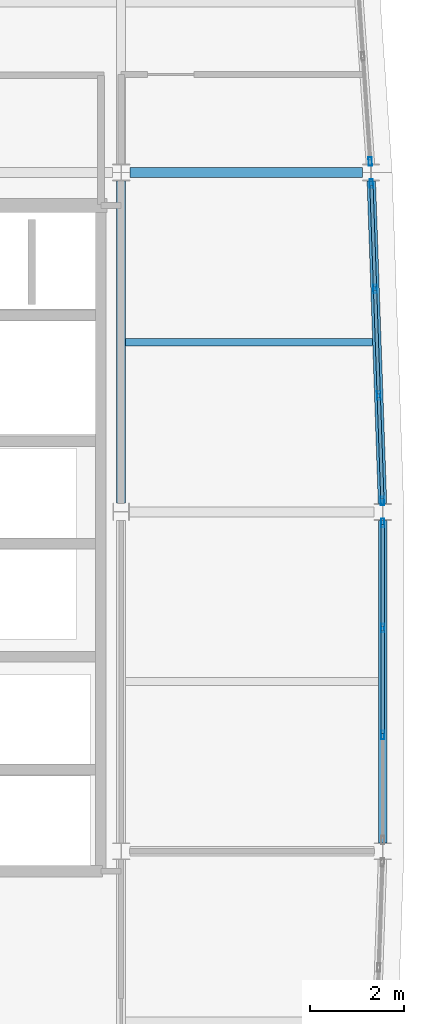
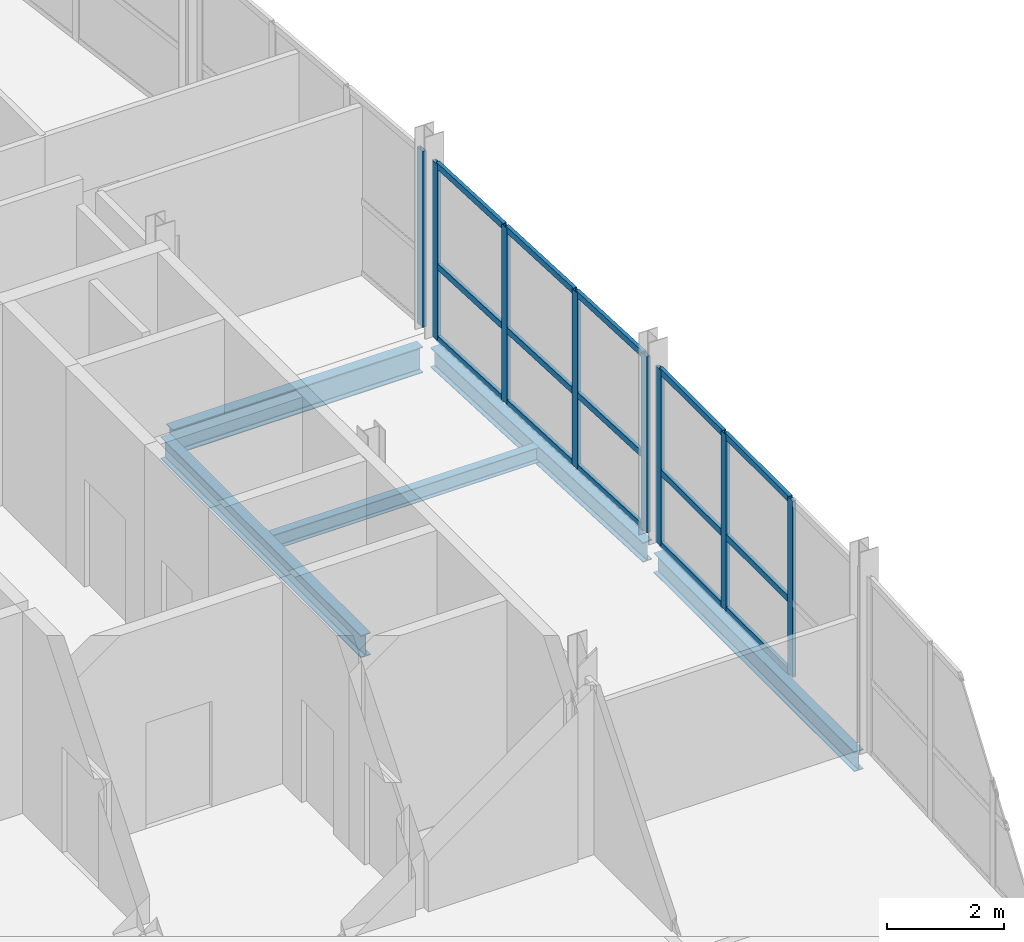
# One storey, part 4 of 17: 23 members, 5 beams, 3 elements without a shape of their own.
"""IFC4 building model written with IfcOpenShell, lengths in metres."""

import ifcopenshell
import ifcopenshell.guid

model = None  # the IFC model being written
_history = None  # IfcOwnerHistory: only IFC2X3 demands one
_inside = {}  # id of a spatial element -> (the spatial element, [elements in it])
_under = {}  # id of a project, library or spatial element -> (it, [spatial elements below it])
_declared = {}  # id of a project -> (the project, [libraries it declares])
_typed = {}  # id of a type object -> (the type object, [elements of that type])
_made_of = {}  # id of a material, layer set ... -> (it, [elements and type objects made of it])


def new_model(schema):
    """Start an empty IFC model of exactly this schema.

    Asked for "IFC4X3", IfcOpenShell would pick the latest addendum, in which some entities
    have other attributes; the version numbers below select the first issue.
    IFC2X3 requires an IfcOwnerHistory on every rooted entity: one is made here for all.
    """
    global model, _history
    if schema == "IFC4X3":
        model = ifcopenshell.file(schema_version=(4, 3, 0, 0))
    else:
        model = ifcopenshell.file(schema=schema)
    _inside.clear()
    _under.clear()
    _declared.clear()
    _typed.clear()
    _made_of.clear()
    _history = None
    if model.schema == "IFC2X3":
        org = make("IfcOrganization", Name="unknown")
        user = make(
            "IfcPersonAndOrganization",
            ThePerson=make("IfcPerson", FamilyName="unknown"),
            TheOrganization=org,
        )
        app = make(
            "IfcApplication",
            ApplicationDeveloper=org,
            Version="unknown",
            ApplicationFullName="unknown",
            ApplicationIdentifier="unknown",
        )
        _history = make(
            "IfcOwnerHistory",
            OwningUser=user,
            OwningApplication=app,
            ChangeAction="ADDED",
            CreationDate=0,
        )
    return model


def make(cls, **values):
    """One entity of the class cls with the attributes given. An attribute that is None is left unset."""
    return model.create_entity(
        cls, **{name: value for name, value in values.items() if value is not None}
    )


def rooted(cls, **values):
    """An entity with a GlobalId (a new one), such as an element, a storey or a relation."""
    return make(cls, GlobalId=ifcopenshell.guid.new(), OwnerHistory=_history, **values)


def si_unit(unit_type, name, prefix=None):
    """IfcSIUnit, for example si_unit("LENGTHUNIT", "METRE", prefix="MILLI")."""
    return make("IfcSIUnit", UnitType=unit_type, Prefix=prefix, Name=name)


def assignment(units):
    """IfcUnitAssignment: the units of a project."""
    return None if units is None else make("IfcUnitAssignment", Units=units)


def point(xyz):
    """IfcCartesianPoint."""
    return None if xyz is None else make("IfcCartesianPoint", Coordinates=xyz)


def direction(xyz):
    """IfcDirection."""
    return None if xyz is None else make("IfcDirection", DirectionRatios=xyz)


def frame(location, z_axis=None, x_axis=None):
    """IfcAxis2Placement3D, a coordinate frame: its origin and axes. An axis left out is left unset."""
    return make(
        "IfcAxis2Placement3D",
        Location=point(location),
        Axis=direction(z_axis),
        RefDirection=direction(x_axis),
    )


def frame_2d(location, x_axis=None):
    """IfcAxis2Placement2D, a coordinate frame in the plane: its origin and x axis."""
    return make(
        "IfcAxis2Placement2D", Location=point(location), RefDirection=direction(x_axis)
    )


def origin():
    """The frame at (0, 0, 0) with its axes left unset."""
    return frame((0.0, 0.0, 0.0))


def origin_2d():
    """The frame at (0, 0) in the plane with its x axis left unset."""
    return frame_2d((0.0, 0.0))


def place(relative_to, where):
    """IfcLocalPlacement: puts the frame where relative to a parent placement (None: the world)."""
    return make(
        "IfcLocalPlacement", PlacementRelTo=relative_to, RelativePlacement=where
    )


def context(
    kind, dimensions, precision=None, world=None, true_north=None, identifier=None
):
    """IfcGeometricRepresentationContext, for example the 3D "Model" context."""
    return make(
        "IfcGeometricRepresentationContext",
        ContextIdentifier=identifier,
        ContextType=kind,
        CoordinateSpaceDimension=dimensions,
        Precision=precision,
        WorldCoordinateSystem=world,
        TrueNorth=true_north,
    )


def subcontext(parent, identifier, kind, view, scale=None):
    """IfcGeometricRepresentationSubContext, for example "Body" below "Model"."""
    return make(
        "IfcGeometricRepresentationSubContext",
        ContextIdentifier=identifier,
        ContextType=kind,
        ParentContext=parent,
        TargetScale=scale,
        TargetView=view,
    )


def project(units=None, contexts=None):
    """IfcProject with its units and contexts."""
    return rooted(
        "IfcProject",
        Name="project",
        RepresentationContexts=contexts,
        UnitsInContext=assignment(units),
    )


def spatial(cls, under=None, at=None, **own):
    """A site, building, storey or space (cls), placed at a placement, below another one or the project."""
    s = rooted(cls, ObjectPlacement=at, **own)
    if under is not None:
        _under.setdefault(under.id(), (under, []))[1].append(s)
    return s


def profile(cls, at=None, kind="AREA", **sizes):
    """A parametric profile (cls). Its sizes go by their IFC names, for example OverallWidth=200.0."""
    return make(cls, ProfileType=kind, Position=at, **sizes)


def hollow_rectangle(**sizes):
    """IfcRectangleHollowProfileDef."""
    return profile("IfcRectangleHollowProfileDef", **sizes)


def i_section(**sizes):
    """IfcIShapeProfileDef."""
    return profile("IfcIShapeProfileDef", **sizes)


def extrude(swept, where, along, depth):
    """IfcExtrudedAreaSolid: the profile swept, set in the frame where, extruded along a direction by depth."""
    return make(
        "IfcExtrudedAreaSolid",
        SweptArea=swept,
        Position=where,
        ExtrudedDirection=direction(along),
        Depth=depth,
    )


def shape(context_of_items, identifier, shape_type, items):
    """IfcShapeRepresentation: the items that make up one representation, for example the "Body"."""
    return make(
        "IfcShapeRepresentation",
        ContextOfItems=context_of_items,
        RepresentationIdentifier=identifier,
        RepresentationType=shape_type,
        Items=items,
    )


def material(Name=None, Category=None):
    """IfcMaterial."""
    return make("IfcMaterial", Name=Name, Category=Category)


def layer(
    of_material, thickness, ventilated=None, Name=None, Category=None, Priority=None
):
    """IfcMaterialLayer: one layer of a wall or slab, of a material (None: an air gap)."""
    return make(
        "IfcMaterialLayer",
        Material=of_material,
        LayerThickness=thickness,
        IsVentilated=ventilated,
        Name=Name,
        Category=Category,
        Priority=Priority,
    )


def layer_set(layers, Name=None):
    """IfcMaterialLayerSet."""
    return make("IfcMaterialLayerSet", MaterialLayers=layers, LayerSetName=Name)


def material_profile(
    of_material, cross_section, Name=None, Category=None, Priority=None
):
    """IfcMaterialProfile: a cross section and its material."""
    return make(
        "IfcMaterialProfile",
        Name=Name,
        Material=of_material,
        Profile=cross_section,
        Priority=Priority,
        Category=Category,
    )


def profile_set(profiles, Name=None, composite=None):
    """IfcMaterialProfileSet."""
    return make(
        "IfcMaterialProfileSet",
        Name=Name,
        MaterialProfiles=profiles,
        CompositeProfile=composite,
    )


def made_of(thing, what):
    """Note that an element or type object is made of a material, layer set ...; save() writes the relation."""
    if what is not None:
        _made_of.setdefault(what.id(), (what, []))[1].append(thing)
    return thing


def type_object(cls, material=None, **own):
    """A type object (cls), such as IfcWallType, which elements share."""
    return made_of(rooted(cls, **own), material)


def element(
    cls,
    number,
    at=None,
    inside=None,
    cuts=None,
    type_object=None,
    material=None,
    context=None,
    identifier="Body",
    shape_type=None,
    held_by="IfcProductDefinitionShape",
    body=None,
    shapes=None,
    **own,
):
    """One element of the class cls, such as IfcWall. Its Tag is "e" and its number.

    at: its placement. inside: the storey or other place that contains it. cuts: it is an
    opening in that element (IfcRelVoidsElement). A single representation is given by context,
    identifier, shape_type and body (its items); several are given by shapes. held_by: the class
    of the entity that holds the representations. save() writes the other relations.
    """
    e = rooted(cls, Tag="e%d" % number, ObjectPlacement=at, **own)
    if body is not None:
        shapes = [shape(context, identifier, shape_type, body)]
    if shapes is not None:
        e.Representation = make(held_by, Representations=shapes)
    if inside is not None:
        _inside.setdefault(inside.id(), (inside, []))[1].append(e)
    if cuts is not None:
        rooted(
            "IfcRelVoidsElement", RelatingBuildingElement=cuts, RelatedOpeningElement=e
        )
    if type_object is not None:
        _typed.setdefault(type_object.id(), (type_object, []))[1].append(e)
    return made_of(e, material)


def aggregate(whole, parts):
    """IfcRelAggregates: a whole, such as a stair, and the parts it consists of."""
    return rooted("IfcRelAggregates", RelatingObject=whole, RelatedObjects=parts)


def save(model, path):
    """Write the relations noted so far, then the file.

    IfcRelAggregates (storeys below a building ...), IfcRelContainedInSpatialStructure (elements
    in a storey), IfcRelDefinesByType, IfcRelAssociatesMaterial and IfcRelDeclares: one each for
    every whole, place, type object, material and project.
    """
    for whole, parts in _under.values():
        aggregate(whole, parts)
    for where, things in _inside.values():
        rooted(
            "IfcRelContainedInSpatialStructure",
            RelatedElements=things,
            RelatingStructure=where,
        )
    for kind, things in _typed.values():
        rooted("IfcRelDefinesByType", RelatedObjects=things, RelatingType=kind)
    for what, things in _made_of.values():
        rooted("IfcRelAssociatesMaterial", RelatedObjects=things, RelatingMaterial=what)
    for by, libraries in _declared.values():
        rooted("IfcRelDeclares", RelatingContext=by, RelatedDefinitions=libraries)
    model.write(path)


model = new_model("IFC4")

# Units and contexts
model_context = context("Model", 3, precision=1e-05, world=origin(), true_north=direction((0.0, 1.0)))
body_context = subcontext(model_context, "Body", "Model", "MODEL_VIEW")
ifc_project = project(units=[si_unit("LENGTHUNIT", "METRE"), si_unit("AREAUNIT", "SQUARE_METRE"), si_unit("VOLUMEUNIT", "CUBIC_METRE"), si_unit("PLANEANGLEUNIT", "RADIAN"), si_unit("MASSUNIT", "GRAM", prefix="KILO")], contexts=[model_context])

# Site, building, storey
site_placement = place(None, origin())
site = spatial("IfcSite", under=ifc_project, at=site_placement, CompositionType="ELEMENT")
building_placement = place(site_placement, origin())
building = spatial("IfcBuilding", under=site, at=building_placement, Name="Quillay Park Conservatory", CompositionType="ELEMENT")
storey_placement = place(building_placement, frame((0.0, 0.0, 56.10009765625)))
storey = spatial("IfcBuildingStorey", under=building, at=storey_placement, Name="L13", CompositionType="ELEMENT", Elevation=56.10009765625)

# Beam
ifc_material_1 = material(Name="Steel ASTM A992 Grade 50", Category="steel")
ifc_material_profile_1 = material_profile(ifc_material_1, i_section(OverallWidth=0.166015625, OverallDepth=0.31298828125, WebThickness=0.006591796875, FlangeThickness=0.01123046875, FilletRadius=0.010009765625, at=origin_2d()), Name="W310x45")
ifc_profile_set_1 = profile_set([ifc_material_profile_1], Name="Steel ASTM A992 Grade 50")
beam_type_1 = type_object("IfcBeamType", Name="COMPOSITE FLOOR JOIST W310 X45", PredefinedType="JOIST", material=ifc_profile_set_1)
beam_1_placement = place(storey_placement, frame((19.845947265625, 96.0, -0.356689453125), z_axis=(1.0, 0.0, 0.0), x_axis=(0.0, 1.0, 0.0)))
element("IfcBeam", 1, at=beam_1_placement, inside=storey, type_object=beam_type_1, Name="L13 beam BM-J-0927", PredefinedType="JOIST", context=body_context, shape_type="SweptSolid", body=[
    extrude(i_section(OverallWidth=0.166015625, OverallDepth=0.31298828125, WebThickness=0.006591796875, FlangeThickness=0.01123046875, FilletRadius=0.010009765625, at=origin_2d()), origin(), (0.0, 0.0, 1.0), 5.239013671875),
])

# Curtain wall, members
ifc_material_2 = material(Name="Thermally Broken Anodised Aluminium 6063-T6", Category="aluminium")
ifc_layer = layer(ifc_material_2, 0.179931640625)
ifc_layer_set = layer_set([ifc_layer], Name="UNITISED CURTAIN WALL TOWER (Thermally Broken Anodised Aluminium 6063-T6)")
curtain_wall_type = type_object("IfcCurtainWallType", Name="UNITISED CURTAIN WALL TOWER", PredefinedType="USERDEFINED", material=ifc_layer_set)
curtain_wall_1_placement = place(storey_placement, origin())
curtain_wall_1 = element("IfcCurtainWall", 2, at=curtain_wall_1_placement, inside=storey, type_object=curtain_wall_type, Name="L13 Unitised Curtain Wall 124", ObjectType="UNITISED CURTAIN WALL", PredefinedType="USERDEFINED")
ifc_material_3 = material(Name="Thermally Broken Anodised Aluminium 6063-T6", Category="aluminium")
ifc_material_profile_2 = material_profile(ifc_material_3, hollow_rectangle(XDim=0.070068359375, YDim=0.179931640625, WallThickness=0.00390625, at=origin_2d()), Name="AL70x180x4")
ifc_profile_set_2 = profile_set([ifc_material_profile_2], Name="Thermally Broken Anodised Aluminium 6063-T6")
member_type_1 = type_object("IfcMemberType", Name="CURTAIN WALL MULLION 70 X180", PredefinedType="MULLION", material=ifc_profile_set_2)
member_1_placement = place(storey_placement, frame((25.300048828125, 92.1650390625, 0.0), z_axis=(0.0, 0.0, 1.0), x_axis=(1.0, 0.0, 0.0)))
member_1 = element("IfcMember", 3, at=member_1_placement, type_object=member_type_1, Name="CW-T1 mullion 1", PredefinedType="MULLION", context=body_context, shape_type="SweptSolid", body=[
    extrude(hollow_rectangle(XDim=0.070068359375, YDim=0.179931640625, WallThickness=0.00390625, at=origin_2d()), origin(), (0.0, 0.0, 1.0), 3.6669921875),
])
member_2_placement = place(storey_placement, frame((25.300048828125, 89.933349609375, 0.0), z_axis=(0.0, 0.0, 1.0), x_axis=(1.0, 0.0, 0.0)))
member_2 = element("IfcMember", 4, at=member_2_placement, type_object=member_type_1, Name="CW-T1 mullion 2", PredefinedType="MULLION", context=body_context, shape_type="SweptSolid", body=[
    extrude(hollow_rectangle(XDim=0.070068359375, YDim=0.179931640625, WallThickness=0.00390625, at=origin_2d()), origin(), (0.0, 0.0, 1.0), 3.6669921875),
])
member_3_placement = place(storey_placement, frame((25.300048828125, 87.666748046875, 0.0), z_axis=(0.0, 0.0, 1.0), x_axis=(1.0, 0.0, 0.0)))
member_3 = element("IfcMember", 5, at=member_3_placement, type_object=member_type_1, Name="CW-T1 mullion 3", PredefinedType="MULLION", context=body_context, shape_type="SweptSolid", body=[
    extrude(hollow_rectangle(XDim=0.070068359375, YDim=0.179931640625, WallThickness=0.00390625, at=origin_2d()), origin(), (0.0, 0.0, 1.0), 3.6669921875),
])

curtain_wall_2_placement = place(storey_placement, origin())
curtain_wall_2 = element("IfcCurtainWall", 6, at=curtain_wall_2_placement, inside=storey, type_object=curtain_wall_type, Name="L13 Unitised Curtain Wall 125", ObjectType="UNITISED CURTAIN WALL", PredefinedType="USERDEFINED")
member_4_placement = place(storey_placement, frame((25.05810546875, 99.365234375, 0.0), z_axis=(0.0, 0.0, 1.0), x_axis=(0.999397310446, 0.034713338537, 0.0)))
member_4 = element("IfcMember", 7, at=member_4_placement, type_object=member_type_1, Name="CW-T1 mullion 1", PredefinedType="MULLION", context=body_context, shape_type="SweptSolid", body=[
    extrude(hollow_rectangle(XDim=0.070068359375, YDim=0.179931640625, WallThickness=0.00390625, at=origin_2d()), origin(), (0.0, 0.0, 1.0), 3.6669921875),
])
member_5_placement = place(storey_placement, frame((25.1357421875, 97.13330078125, 0.0), z_axis=(0.0, 0.0, 1.0), x_axis=(0.999397310446, 0.034713338537, 0.0)))
member_5 = element("IfcMember", 8, at=member_5_placement, type_object=member_type_1, Name="CW-T1 mullion 2", PredefinedType="MULLION", context=body_context, shape_type="SweptSolid", body=[
    extrude(hollow_rectangle(XDim=0.070068359375, YDim=0.179931640625, WallThickness=0.00390625, at=origin_2d()), origin(), (0.0, 0.0, 1.0), 3.6669921875),
])
member_6_placement = place(storey_placement, frame((25.21435546875, 94.86669921875, 0.0), z_axis=(0.0, 0.0, 1.0), x_axis=(0.999397310446, 0.034713338537, 0.0)))
member_6 = element("IfcMember", 9, at=member_6_placement, type_object=member_type_1, Name="CW-T1 mullion 3", PredefinedType="MULLION", context=body_context, shape_type="SweptSolid", body=[
    extrude(hollow_rectangle(XDim=0.070068359375, YDim=0.179931640625, WallThickness=0.00390625, at=origin_2d()), origin(), (0.0, 0.0, 1.0), 3.6669921875),
])
member_7_placement = place(storey_placement, frame((25.2919921875, 92.634765625, 0.0), z_axis=(0.0, 0.0, 1.0), x_axis=(0.999397310446, 0.034713338537, 0.0)))
member_7 = element("IfcMember", 10, at=member_7_placement, type_object=member_type_1, Name="CW-T1 mullion 4", PredefinedType="MULLION", context=body_context, shape_type="SweptSolid", body=[
    extrude(hollow_rectangle(XDim=0.070068359375, YDim=0.179931640625, WallThickness=0.00390625, at=origin_2d()), origin(), (0.0, 0.0, 1.0), 3.6669921875),
])

# Curtain wall, member
curtain_wall_3_placement = place(storey_placement, origin())
curtain_wall_3 = element("IfcCurtainWall", 11, at=curtain_wall_3_placement, inside=storey, type_object=curtain_wall_type, Name="L13 Unitised Curtain Wall 126", ObjectType="UNITISED CURTAIN WALL", PredefinedType="USERDEFINED")
member_8_placement = place(storey_placement, frame((25.03369140625, 99.83447265625, 0.0), z_axis=(0.0, 0.0, 1.0), x_axis=(0.99759835015, 0.069264217159, 0.0)))
member_8 = element("IfcMember", 12, at=member_8_placement, type_object=member_type_1, Name="CW-T1 mullion 4", PredefinedType="MULLION", context=body_context, shape_type="SweptSolid", body=[
    extrude(hollow_rectangle(XDim=0.070068359375, YDim=0.179931640625, WallThickness=0.00390625, at=origin_2d()), origin(), (0.0, 0.0, 1.0), 3.6669921875),
])
aggregate(curtain_wall_3, [member_8])

# Member
ifc_material_4 = material(Name="Thermally Broken Anodised Aluminium 6063-T6", Category="aluminium")
ifc_material_profile_3 = material_profile(ifc_material_4, hollow_rectangle(XDim=0.070068359375, YDim=0.1298828125, WallThickness=0.003173828125, at=origin_2d()), Name="AL70x130x3.2")
ifc_profile_set_3 = profile_set([ifc_material_profile_3], Name="Thermally Broken Anodised Aluminium 6063-T6")
member_type_2 = type_object("IfcMemberType", Name="CURTAIN WALL TRANSOM 70 X130", PredefinedType="USERDEFINED", material=ifc_profile_set_3)
member_9_placement = place(storey_placement, frame((25.300048828125, 92.1298828125, 0.034912109375), z_axis=(0.0, -1.0, 0.0), x_axis=(1.0, 0.0, 0.0)))
member_9 = element("IfcMember", 13, at=member_9_placement, type_object=member_type_2, Name="CW-T1 transom 1.1", ObjectType="TRANSOM", PredefinedType="USERDEFINED", context=body_context, shape_type="SweptSolid", body=[
    extrude(hollow_rectangle(XDim=0.070068359375, YDim=0.1298828125, WallThickness=0.003173828125, at=origin_2d()), origin(), (0.0, 0.0, 1.0), 2.16162109375),
])

member_10_placement = place(storey_placement, frame((25.300048828125, 92.1298828125, 1.5400390625), z_axis=(0.0, -1.0, 0.0), x_axis=(1.0, 0.0, 0.0)))
member_10 = element("IfcMember", 14, at=member_10_placement, type_object=member_type_2, Name="CW-T1 transom 1.2", ObjectType="TRANSOM", PredefinedType="USERDEFINED", context=body_context, shape_type="SweptSolid", body=[
    extrude(hollow_rectangle(XDim=0.070068359375, YDim=0.1298828125, WallThickness=0.003173828125, at=origin_2d()), origin(), (0.0, 0.0, 1.0), 2.16162109375),
])

member_11_placement = place(storey_placement, frame((25.300048828125, 92.1298828125, 3.6318359375), z_axis=(0.0, -1.0, 0.0), x_axis=(1.0, 0.0, 0.0)))
member_11 = element("IfcMember", 15, at=member_11_placement, type_object=member_type_2, Name="CW-T1 transom 1.3", ObjectType="TRANSOM", PredefinedType="USERDEFINED", context=body_context, shape_type="SweptSolid", body=[
    extrude(hollow_rectangle(XDim=0.070068359375, YDim=0.1298828125, WallThickness=0.003173828125, at=origin_2d()), origin(), (0.0, 0.0, 1.0), 2.16162109375),
])

member_12_placement = place(storey_placement, frame((25.300048828125, 89.8984375, 0.034912109375), z_axis=(0.0, -1.0, 0.0), x_axis=(1.0, 0.0, 0.0)))
member_12 = element("IfcMember", 16, at=member_12_placement, type_object=member_type_2, Name="CW-T1 transom 2.1", ObjectType="TRANSOM", PredefinedType="USERDEFINED", context=body_context, shape_type="SweptSolid", body=[
    extrude(hollow_rectangle(XDim=0.070068359375, YDim=0.1298828125, WallThickness=0.003173828125, at=origin_2d()), origin(), (0.0, 0.0, 1.0), 2.19677734375),
])

member_13_placement = place(storey_placement, frame((25.300048828125, 89.8984375, 1.5400390625), z_axis=(0.0, -1.0, 0.0), x_axis=(1.0, 0.0, 0.0)))
member_13 = element("IfcMember", 17, at=member_13_placement, type_object=member_type_2, Name="CW-T1 transom 2.2", ObjectType="TRANSOM", PredefinedType="USERDEFINED", context=body_context, shape_type="SweptSolid", body=[
    extrude(hollow_rectangle(XDim=0.070068359375, YDim=0.1298828125, WallThickness=0.003173828125, at=origin_2d()), origin(), (0.0, 0.0, 1.0), 2.19677734375),
])

member_14_placement = place(storey_placement, frame((25.300048828125, 89.8984375, 3.6318359375), z_axis=(0.0, -1.0, 0.0), x_axis=(1.0, 0.0, 0.0)))
member_14 = element("IfcMember", 18, at=member_14_placement, type_object=member_type_2, Name="CW-T1 transom 2.3", ObjectType="TRANSOM", PredefinedType="USERDEFINED", context=body_context, shape_type="SweptSolid", body=[
    extrude(hollow_rectangle(XDim=0.070068359375, YDim=0.1298828125, WallThickness=0.003173828125, at=origin_2d()), origin(), (0.0, 0.0, 1.0), 2.19677734375),
])

aggregate(curtain_wall_1, [member_1, member_2, member_3, member_9, member_10, member_11, member_12, member_13, member_14])

member_15_placement = place(storey_placement, frame((25.059326171875, 99.330078125, 0.034912109375), z_axis=(0.034765508592, -0.999395496994, 0.0), x_axis=(0.999395496994, 0.034765508592, 0.0)))
member_15 = element("IfcMember", 19, at=member_15_placement, type_object=member_type_2, Name="CW-T1 transom 1.1", ObjectType="TRANSOM", PredefinedType="USERDEFINED", context=body_context, shape_type="SweptSolid", body=[
    extrude(hollow_rectangle(XDim=0.070068359375, YDim=0.1298828125, WallThickness=0.003173828125, at=origin_2d()), origin(), (0.0, 0.0, 1.0), 2.162841796875),
])

member_16_placement = place(storey_placement, frame((25.059326171875, 99.330078125, 1.5400390625), z_axis=(0.034765508592, -0.999395496994, 0.0), x_axis=(0.999395496994, 0.034765508592, 0.0)))
member_16 = element("IfcMember", 20, at=member_16_placement, type_object=member_type_2, Name="CW-T1 transom 1.2", ObjectType="TRANSOM", PredefinedType="USERDEFINED", context=body_context, shape_type="SweptSolid", body=[
    extrude(hollow_rectangle(XDim=0.070068359375, YDim=0.1298828125, WallThickness=0.003173828125, at=origin_2d()), origin(), (0.0, 0.0, 1.0), 2.162841796875),
])

member_17_placement = place(storey_placement, frame((25.059326171875, 99.330078125, 3.6318359375), z_axis=(0.034765508592, -0.999395496994, 0.0), x_axis=(0.999395496994, 0.034765508592, 0.0)))
member_17 = element("IfcMember", 21, at=member_17_placement, type_object=member_type_2, Name="CW-T1 transom 1.3", ObjectType="TRANSOM", PredefinedType="USERDEFINED", context=body_context, shape_type="SweptSolid", body=[
    extrude(hollow_rectangle(XDim=0.070068359375, YDim=0.1298828125, WallThickness=0.003173828125, at=origin_2d()), origin(), (0.0, 0.0, 1.0), 2.162841796875),
])

member_18_placement = place(storey_placement, frame((25.136962890625, 97.098388671875, 0.034912109375), z_axis=(0.034653546152, -0.999399385501, 0.0), x_axis=(0.999399385501, 0.034653546152, 0.0)))
member_18 = element("IfcMember", 22, at=member_18_placement, type_object=member_type_2, Name="CW-T1 transom 2.1", ObjectType="TRANSOM", PredefinedType="USERDEFINED", context=body_context, shape_type="SweptSolid", body=[
    extrude(hollow_rectangle(XDim=0.070068359375, YDim=0.1298828125, WallThickness=0.003173828125, at=origin_2d()), origin(), (0.0, 0.0, 1.0), 2.197998046875),
])

member_19_placement = place(storey_placement, frame((25.136962890625, 97.098388671875, 1.5400390625), z_axis=(0.034653546152, -0.999399385501, 0.0), x_axis=(0.999399385501, 0.034653546152, 0.0)))
member_19 = element("IfcMember", 23, at=member_19_placement, type_object=member_type_2, Name="CW-T1 transom 2.2", ObjectType="TRANSOM", PredefinedType="USERDEFINED", context=body_context, shape_type="SweptSolid", body=[
    extrude(hollow_rectangle(XDim=0.070068359375, YDim=0.1298828125, WallThickness=0.003173828125, at=origin_2d()), origin(), (0.0, 0.0, 1.0), 2.197998046875),
])

member_20_placement = place(storey_placement, frame((25.136962890625, 97.098388671875, 3.6318359375), z_axis=(0.034653546152, -0.999399385501, 0.0), x_axis=(0.999399385501, 0.034653546152, 0.0)))
member_20 = element("IfcMember", 24, at=member_20_placement, type_object=member_type_2, Name="CW-T1 transom 2.3", ObjectType="TRANSOM", PredefinedType="USERDEFINED", context=body_context, shape_type="SweptSolid", body=[
    extrude(hollow_rectangle(XDim=0.070068359375, YDim=0.1298828125, WallThickness=0.003173828125, at=origin_2d()), origin(), (0.0, 0.0, 1.0), 2.197998046875),
])

member_21_placement = place(storey_placement, frame((25.215576171875, 94.83154296875, 0.034912109375), z_axis=(0.034765508592, -0.999395496994, 0.0), x_axis=(0.999395496994, 0.034765508592, 0.0)))
member_21 = element("IfcMember", 25, at=member_21_placement, type_object=member_type_2, Name="CW-T1 transom 3.1", ObjectType="TRANSOM", PredefinedType="USERDEFINED", context=body_context, shape_type="SweptSolid", body=[
    extrude(hollow_rectangle(XDim=0.070068359375, YDim=0.1298828125, WallThickness=0.003173828125, at=origin_2d()), origin(), (0.0, 0.0, 1.0), 2.162841796875),
])

member_22_placement = place(storey_placement, frame((25.215576171875, 94.83154296875, 1.5400390625), z_axis=(0.034765508592, -0.999395496994, 0.0), x_axis=(0.999395496994, 0.034765508592, 0.0)))
member_22 = element("IfcMember", 26, at=member_22_placement, type_object=member_type_2, Name="CW-T1 transom 3.2", ObjectType="TRANSOM", PredefinedType="USERDEFINED", context=body_context, shape_type="SweptSolid", body=[
    extrude(hollow_rectangle(XDim=0.070068359375, YDim=0.1298828125, WallThickness=0.003173828125, at=origin_2d()), origin(), (0.0, 0.0, 1.0), 2.162841796875),
])

member_23_placement = place(storey_placement, frame((25.215576171875, 94.83154296875, 3.6318359375), z_axis=(0.034765508592, -0.999395496994, 0.0), x_axis=(0.999395496994, 0.034765508592, 0.0)))
member_23 = element("IfcMember", 27, at=member_23_placement, type_object=member_type_2, Name="CW-T1 transom 3.3", ObjectType="TRANSOM", PredefinedType="USERDEFINED", context=body_context, shape_type="SweptSolid", body=[
    extrude(hollow_rectangle(XDim=0.070068359375, YDim=0.1298828125, WallThickness=0.003173828125, at=origin_2d()), origin(), (0.0, 0.0, 1.0), 2.162841796875),
])

aggregate(curtain_wall_2, [member_4, member_5, member_6, member_7, member_15, member_16, member_17, member_18, member_19, member_20, member_21, member_22, member_23])

# Beams
ifc_material_5 = material(Name="Steel ASTM A992 Grade 50", Category="steel")
ifc_material_profile_4 = material_profile(ifc_material_5, i_section(OverallWidth=0.179931640625, OverallDepth=0.4130859375, WebThickness=0.009765625, FlangeThickness=0.01611328125, FilletRadius=0.011962890625, at=origin_2d()), Name="W410x74")
ifc_profile_set_4 = profile_set([ifc_material_profile_4], Name="Steel ASTM A992 Grade 50")
beam_type_2 = type_object("IfcBeamType", Name="PERIMETER SPANDREL BEAM W410 X74", PredefinedType="SPANDREL", material=ifc_profile_set_4)
beam_2_placement = place(storey_placement, frame((25.300048828125, 85.3779296875, -0.406494140625), z_axis=(0.0, 1.0, 0.0), x_axis=(-1.0, 0.0, 0.0)))
element("IfcBeam", 28, at=beam_2_placement, inside=storey, type_object=beam_type_2, Name="L13 beam BM-SPE-0917", PredefinedType="SPANDREL", context=body_context, shape_type="SweptSolid", body=[
    extrude(i_section(OverallWidth=0.179931640625, OverallDepth=0.4130859375, WebThickness=0.009765625, FlangeThickness=0.01611328125, FilletRadius=0.011962890625, at=origin_2d()), origin(), (0.0, 0.0, 1.0), 6.843994140625),
])
beam_3_placement = place(storey_placement, frame((25.293701171875, 92.577880859375, -0.406494140625), z_axis=(-0.034686968465, 0.999398226043, 0.0), x_axis=(-0.999398226043, -0.034686968465, 0.0)))
element("IfcBeam", 29, at=beam_3_placement, inside=storey, type_object=beam_type_2, Name="L13 beam BM-SPE-0923", PredefinedType="SPANDREL", context=body_context, shape_type="SweptSolid", body=[
    extrude(i_section(OverallWidth=0.179931640625, OverallDepth=0.4130859375, WebThickness=0.009765625, FlangeThickness=0.01611328125, FilletRadius=0.011962890625, at=origin_2d()), origin(), (0.0, 0.0, 1.0), 6.848388671875),
])
ifc_material_6 = material(Name="Steel ASTM A992 Grade 50", Category="steel")
ifc_material_profile_5 = material_profile(ifc_material_6, i_section(OverallWidth=0.19189453125, OverallDepth=0.462890625, WebThickness=0.010498046875, FlangeThickness=0.017578125, FilletRadius=0.012939453125, at=origin_2d()), Name="W460x89")
ifc_profile_set_5 = profile_set([ifc_material_profile_5], Name="Steel ASTM A992 Grade 50")
beam_type_3 = type_object("IfcBeamType", Name="PRIMARY FLOOR GIRDER W460 X89", PredefinedType="BEAM", material=ifc_profile_set_5)
beam_4_placement = place(storey_placement, frame((19.75, 92.58447265625, -0.431640625), z_axis=(0.0, 1.0, 0.0), x_axis=(-1.0, 0.0, 0.0)))
element("IfcBeam", 30, at=beam_4_placement, inside=storey, type_object=beam_type_3, Name="L13 beam BM-GNS-0925", PredefinedType="BEAM", context=body_context, shape_type="SweptSolid", body=[
    extrude(i_section(OverallWidth=0.19189453125, OverallDepth=0.462890625, WebThickness=0.010498046875, FlangeThickness=0.017578125, FilletRadius=0.012939453125, at=origin_2d()), origin(), (0.0, 0.0, 1.0), 6.837646484375),
])
ifc_material_7 = material(Name="Steel ASTM A992 Grade 50", Category="steel")
ifc_material_profile_6 = material_profile(ifc_material_7, i_section(OverallWidth=0.2109375, OverallDepth=0.5390625, WebThickness=0.01171875, FlangeThickness=0.018798828125, FilletRadius=0.013916015625, at=origin_2d()), Name="W530x109")
ifc_profile_set_6 = profile_set([ifc_material_profile_6], Name="Steel ASTM A992 Grade 50")
beam_type_4 = type_object("IfcBeamType", Name="PRIMARY FLOOR GIRDER W530 X109", PredefinedType="BEAM", material=ifc_profile_set_6)
beam_5_placement = place(storey_placement, frame((19.9345703125, 99.60009765625, -0.469482421875), z_axis=(1.0, 0.0, 0.0), x_axis=(0.0, 1.0, 0.0)))
element("IfcBeam", 31, at=beam_5_placement, inside=storey, type_object=beam_type_4, Name="L13 beam BM-G-0896", PredefinedType="BEAM", context=body_context, shape_type="SweptSolid", body=[
    extrude(i_section(OverallWidth=0.2109375, OverallDepth=0.5390625, WebThickness=0.01171875, FlangeThickness=0.018798828125, FilletRadius=0.013916015625, at=origin_2d()), origin(), (0.0, 0.0, 1.0), 4.930908203125),
])

save(model, "model.ifc")
